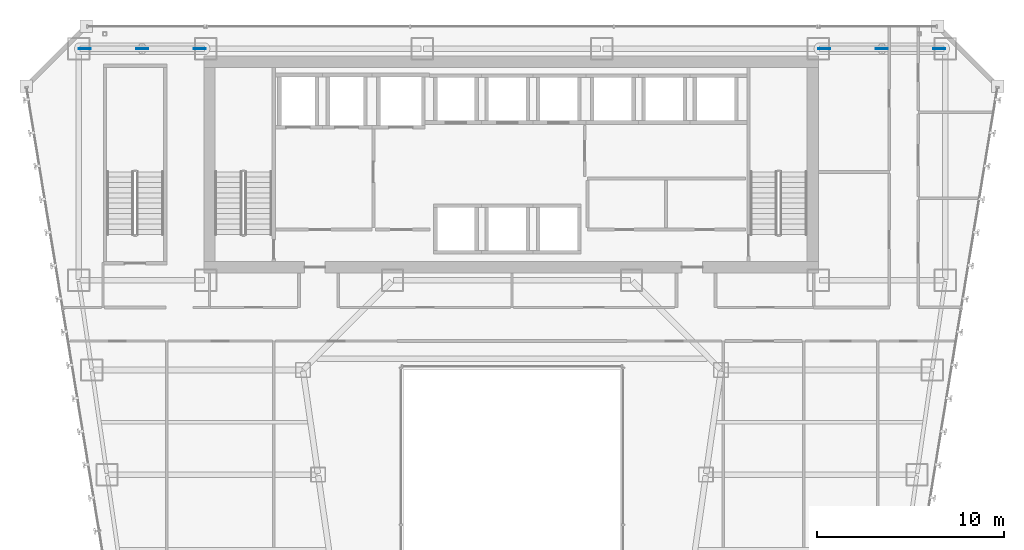
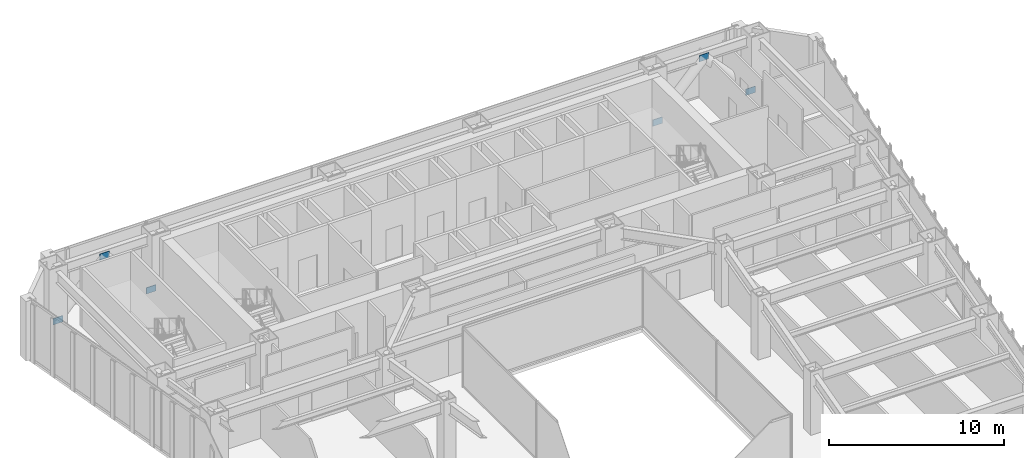
# One storey, part 35 of 47: 6 plates.
"""IFC4 building model written with IfcOpenShell, lengths in metres."""

from ifc_helpers import new_model, si_unit, direction, frame, origin, origin_2d, place, context, subcontext, project, spatial, rectangle, extrude, material, layer, layer_set, type_object, element, save


model = new_model("IFC4")

# Units and contexts
model_context = context("Model", 3, precision=1e-05, world=origin(), true_north=direction((0.0, 1.0)))
body_context = subcontext(model_context, "Body", "Model", "MODEL_VIEW")
ifc_project = project(units=[si_unit("LENGTHUNIT", "METRE"), si_unit("AREAUNIT", "SQUARE_METRE"), si_unit("VOLUMEUNIT", "CUBIC_METRE"), si_unit("PLANEANGLEUNIT", "RADIAN"), si_unit("MASSUNIT", "GRAM", prefix="KILO")], contexts=[model_context])

# Site, building, storey
site_placement = place(None, origin())
site = spatial("IfcSite", under=ifc_project, at=site_placement, CompositionType="ELEMENT")
building_placement = place(site_placement, origin())
building = spatial("IfcBuilding", under=site, at=building_placement, Name="Saevonmaru Cultural Tower", CompositionType="ELEMENT")
storey_placement = place(building_placement, frame((0.0, 0.0, 92.800048828125)))
storey = spatial("IfcBuildingStorey", under=building, at=storey_placement, Name="L19", CompositionType="ELEMENT", Elevation=92.800048828125)

# Plates
ifc_material = material(Name="Steel HSA600 (600 MPa)", Category="steel")
ifc_layer = layer(ifc_material, 0.0400390625, Name="Steel HSA600 (600 MPa)")
ifc_layer_set = layer_set([ifc_layer], Name="Steel HSA600 (600 MPa)")
plate_type = type_object("IfcPlateType", Name="PL-GUSSET-EXT", PredefinedType="USERDEFINED", material=ifc_layer_set)
for number, where, z_axis, x_axis, name in (
    (1, (10.199951171875, 54.800048828125, 3.449951171875), (0.0, 0.0, 1.0), (1.0, 0.0, 0.0), "L19 Perimeter Tube Gusset Plate"),
    (2, (7.1201171875, 54.800048828125, 0.02001953125), (0.0, 0.0, 1.0), (1.0, 0.0, 0.0), "L19 Perimeter Tube Gusset Plate"),
    (3, (13.280029296875, 54.800048828125, 0.02001953125), (0.0, 0.0, 1.0), (1.0, 0.0, 0.0), "L19 Perimeter Tube Gusset Plate"),
    (4, (49.800048828125, 54.800048828125, 3.449951171875), (0.0, 0.0, 1.0), (1.0, 0.0, 0.0), "L19 Perimeter Tube Gusset Plate"),
    (5, (46.719970703125, 54.800048828125, 0.02001953125), (0.0, 0.0, 1.0), (1.0, 0.0, 0.0), "L19 Perimeter Tube Gusset Plate"),
    (6, (52.8798828125, 54.800048828125, 0.02001953125), (0.0, 0.0, 1.0), (1.0, 0.0, 0.0), "L19 Perimeter Tube Gusset Plate"),
):
    element("IfcPlate", number, at=place(storey_placement, frame(where, z_axis=z_axis, x_axis=x_axis)), inside=storey, type_object=plate_type, Name=name, ObjectType="GUSSET_PLATE", PredefinedType="USERDEFINED", context=body_context, shape_type="SweptSolid", body=[
        extrude(rectangle(XDim=0.639892578125, YDim=0.0400390625, at=origin_2d()), origin(), (0.0, 0.0, 1.0), 0.43994140625),
    ])

save(model, "model.ifc")
